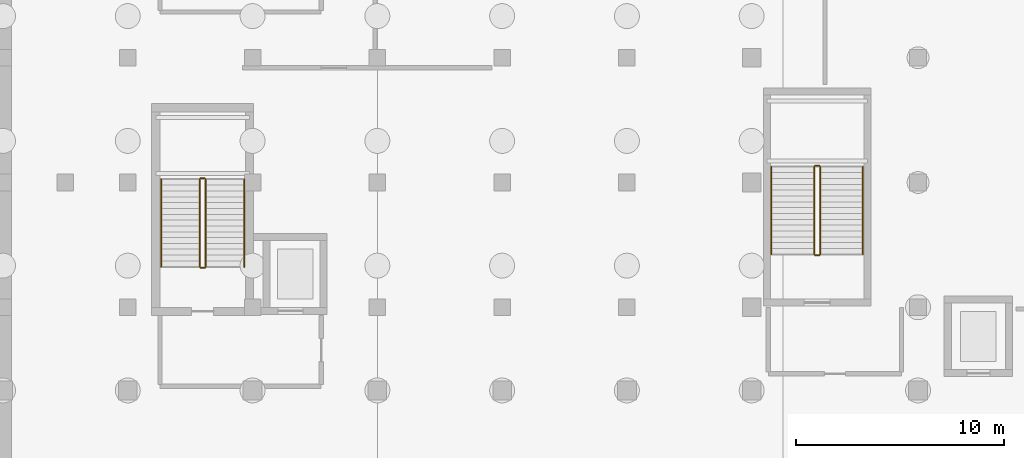
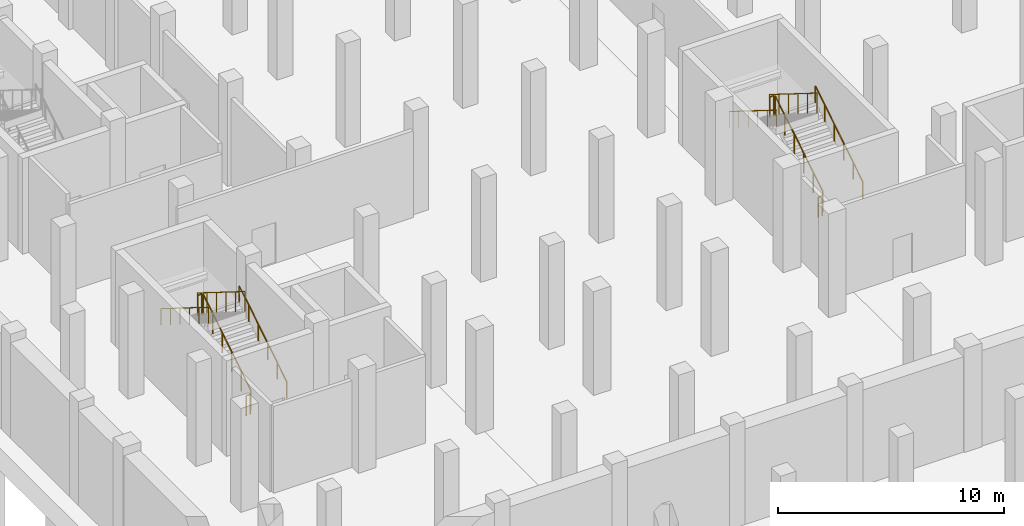
# One storey, part 20 of 26: 12 railings.
"""IFC4 building model written with IfcOpenShell, lengths in metres."""

import ifcopenshell
import ifcopenshell.guid

model = None  # the IFC model being written
_history = None  # IfcOwnerHistory: only IFC2X3 demands one
_inside = {}  # id of a spatial element -> (the spatial element, [elements in it])
_under = {}  # id of a project, library or spatial element -> (it, [spatial elements below it])
_declared = {}  # id of a project -> (the project, [libraries it declares])
_typed = {}  # id of a type object -> (the type object, [elements of that type])
_made_of = {}  # id of a material, layer set ... -> (it, [elements and type objects made of it])


def new_model(schema):
    """Start an empty IFC model of exactly this schema.

    Asked for "IFC4X3", IfcOpenShell would pick the latest addendum, in which some entities
    have other attributes; the version numbers below select the first issue.
    IFC2X3 requires an IfcOwnerHistory on every rooted entity: one is made here for all.
    """
    global model, _history
    if schema == "IFC4X3":
        model = ifcopenshell.file(schema_version=(4, 3, 0, 0))
    else:
        model = ifcopenshell.file(schema=schema)
    _inside.clear()
    _under.clear()
    _declared.clear()
    _typed.clear()
    _made_of.clear()
    _history = None
    if model.schema == "IFC2X3":
        org = make("IfcOrganization", Name="unknown")
        user = make(
            "IfcPersonAndOrganization",
            ThePerson=make("IfcPerson", FamilyName="unknown"),
            TheOrganization=org,
        )
        app = make(
            "IfcApplication",
            ApplicationDeveloper=org,
            Version="unknown",
            ApplicationFullName="unknown",
            ApplicationIdentifier="unknown",
        )
        _history = make(
            "IfcOwnerHistory",
            OwningUser=user,
            OwningApplication=app,
            ChangeAction="ADDED",
            CreationDate=0,
        )
    return model


def make(cls, **values):
    """One entity of the class cls with the attributes given. An attribute that is None is left unset."""
    return model.create_entity(
        cls, **{name: value for name, value in values.items() if value is not None}
    )


def rooted(cls, **values):
    """An entity with a GlobalId (a new one), such as an element, a storey or a relation."""
    return make(cls, GlobalId=ifcopenshell.guid.new(), OwnerHistory=_history, **values)


def si_unit(unit_type, name, prefix=None):
    """IfcSIUnit, for example si_unit("LENGTHUNIT", "METRE", prefix="MILLI")."""
    return make("IfcSIUnit", UnitType=unit_type, Prefix=prefix, Name=name)


def assignment(units):
    """IfcUnitAssignment: the units of a project."""
    return None if units is None else make("IfcUnitAssignment", Units=units)


def point(xyz):
    """IfcCartesianPoint."""
    return None if xyz is None else make("IfcCartesianPoint", Coordinates=xyz)


def direction(xyz):
    """IfcDirection."""
    return None if xyz is None else make("IfcDirection", DirectionRatios=xyz)


def frame(location, z_axis=None, x_axis=None):
    """IfcAxis2Placement3D, a coordinate frame: its origin and axes. An axis left out is left unset."""
    return make(
        "IfcAxis2Placement3D",
        Location=point(location),
        Axis=direction(z_axis),
        RefDirection=direction(x_axis),
    )


def frame_2d(location, x_axis=None):
    """IfcAxis2Placement2D, a coordinate frame in the plane: its origin and x axis."""
    return make(
        "IfcAxis2Placement2D", Location=point(location), RefDirection=direction(x_axis)
    )


def origin():
    """The frame at (0, 0, 0) with its axes left unset."""
    return frame((0.0, 0.0, 0.0))


def origin_2d():
    """The frame at (0, 0) in the plane with its x axis left unset."""
    return frame_2d((0.0, 0.0))


def place(relative_to, where):
    """IfcLocalPlacement: puts the frame where relative to a parent placement (None: the world)."""
    return make(
        "IfcLocalPlacement", PlacementRelTo=relative_to, RelativePlacement=where
    )


def context(
    kind, dimensions, precision=None, world=None, true_north=None, identifier=None
):
    """IfcGeometricRepresentationContext, for example the 3D "Model" context."""
    return make(
        "IfcGeometricRepresentationContext",
        ContextIdentifier=identifier,
        ContextType=kind,
        CoordinateSpaceDimension=dimensions,
        Precision=precision,
        WorldCoordinateSystem=world,
        TrueNorth=true_north,
    )


def subcontext(parent, identifier, kind, view, scale=None):
    """IfcGeometricRepresentationSubContext, for example "Body" below "Model"."""
    return make(
        "IfcGeometricRepresentationSubContext",
        ContextIdentifier=identifier,
        ContextType=kind,
        ParentContext=parent,
        TargetScale=scale,
        TargetView=view,
    )


def project(units=None, contexts=None):
    """IfcProject with its units and contexts."""
    return rooted(
        "IfcProject",
        Name="project",
        RepresentationContexts=contexts,
        UnitsInContext=assignment(units),
    )


def spatial(cls, under=None, at=None, **own):
    """A site, building, storey or space (cls), placed at a placement, below another one or the project."""
    s = rooted(cls, ObjectPlacement=at, **own)
    if under is not None:
        _under.setdefault(under.id(), (under, []))[1].append(s)
    return s


def profile(cls, at=None, kind="AREA", **sizes):
    """A parametric profile (cls). Its sizes go by their IFC names, for example OverallWidth=200.0."""
    return make(cls, ProfileType=kind, Position=at, **sizes)


def circle(**sizes):
    """IfcCircleProfileDef."""
    return profile("IfcCircleProfileDef", **sizes)


def extrude(swept, where, along, depth):
    """IfcExtrudedAreaSolid: the profile swept, set in the frame where, extruded along a direction by depth."""
    return make(
        "IfcExtrudedAreaSolid",
        SweptArea=swept,
        Position=where,
        ExtrudedDirection=direction(along),
        Depth=depth,
    )


def shape(context_of_items, identifier, shape_type, items):
    """IfcShapeRepresentation: the items that make up one representation, for example the "Body"."""
    return make(
        "IfcShapeRepresentation",
        ContextOfItems=context_of_items,
        RepresentationIdentifier=identifier,
        RepresentationType=shape_type,
        Items=items,
    )


def material(Name=None, Category=None):
    """IfcMaterial."""
    return make("IfcMaterial", Name=Name, Category=Category)


def made_of(thing, what):
    """Note that an element or type object is made of a material, layer set ...; save() writes the relation."""
    if what is not None:
        _made_of.setdefault(what.id(), (what, []))[1].append(thing)
    return thing


def type_object(cls, material=None, **own):
    """A type object (cls), such as IfcWallType, which elements share."""
    return made_of(rooted(cls, **own), material)


def element(
    cls,
    number,
    at=None,
    inside=None,
    cuts=None,
    type_object=None,
    material=None,
    context=None,
    identifier="Body",
    shape_type=None,
    held_by="IfcProductDefinitionShape",
    body=None,
    shapes=None,
    **own,
):
    """One element of the class cls, such as IfcWall. Its Tag is "e" and its number.

    at: its placement. inside: the storey or other place that contains it. cuts: it is an
    opening in that element (IfcRelVoidsElement). A single representation is given by context,
    identifier, shape_type and body (its items); several are given by shapes. held_by: the class
    of the entity that holds the representations. save() writes the other relations.
    """
    e = rooted(cls, Tag="e%d" % number, ObjectPlacement=at, **own)
    if body is not None:
        shapes = [shape(context, identifier, shape_type, body)]
    if shapes is not None:
        e.Representation = make(held_by, Representations=shapes)
    if inside is not None:
        _inside.setdefault(inside.id(), (inside, []))[1].append(e)
    if cuts is not None:
        rooted(
            "IfcRelVoidsElement", RelatingBuildingElement=cuts, RelatedOpeningElement=e
        )
    if type_object is not None:
        _typed.setdefault(type_object.id(), (type_object, []))[1].append(e)
    return made_of(e, material)


def aggregate(whole, parts):
    """IfcRelAggregates: a whole, such as a stair, and the parts it consists of."""
    return rooted("IfcRelAggregates", RelatingObject=whole, RelatedObjects=parts)


def save(model, path):
    """Write the relations noted so far, then the file.

    IfcRelAggregates (storeys below a building ...), IfcRelContainedInSpatialStructure (elements
    in a storey), IfcRelDefinesByType, IfcRelAssociatesMaterial and IfcRelDeclares: one each for
    every whole, place, type object, material and project.
    """
    for whole, parts in _under.values():
        aggregate(whole, parts)
    for where, things in _inside.values():
        rooted(
            "IfcRelContainedInSpatialStructure",
            RelatedElements=things,
            RelatingStructure=where,
        )
    for kind, things in _typed.values():
        rooted("IfcRelDefinesByType", RelatedObjects=things, RelatingType=kind)
    for what, things in _made_of.values():
        rooted("IfcRelAssociatesMaterial", RelatedObjects=things, RelatingMaterial=what)
    for by, libraries in _declared.values():
        rooted("IfcRelDeclares", RelatingContext=by, RelatedDefinitions=libraries)
    model.write(path)


model = new_model("IFC4")

# Units and contexts
model_context = context("Model", 3, precision=1e-05, world=origin(), true_north=direction((0.0, 1.0)))
body_context = subcontext(model_context, "Body", "Model", "MODEL_VIEW")
ifc_project = project(units=[si_unit("LENGTHUNIT", "METRE"), si_unit("AREAUNIT", "SQUARE_METRE"), si_unit("VOLUMEUNIT", "CUBIC_METRE"), si_unit("PLANEANGLEUNIT", "RADIAN"), si_unit("MASSUNIT", "GRAM", prefix="KILO")], contexts=[model_context])

# Site, building, storey
site_placement = place(None, origin())
site = spatial("IfcSite", under=ifc_project, at=site_placement, CompositionType="ELEMENT")
building_placement = place(site_placement, origin())
building = spatial("IfcBuilding", under=site, at=building_placement, Name="Verrall Gate Interchange", CompositionType="ELEMENT")
storey_placement = place(building_placement, frame((0.0, 0.0, -10.39990234375)))
storey = spatial("IfcBuildingStorey", under=building, at=storey_placement, Name="B2", CompositionType="ELEMENT", Elevation=-10.39990234375)

# Railings
ifc_material_1 = material(Name="Brushed Stainless-Steel Guardrail and Handrail System", Category="steel")
railing_type_1 = type_object("IfcRailingType", Name="GR-02 Interior Atrium and Stair Guardrail 1100", PredefinedType="GUARDRAIL", material=ifc_material_1)
railing_1_placement = place(storey_placement, frame((9.75, 17.949951171875, 0.1748046875)))
element("IfcRailing", 1, at=railing_1_placement, inside=storey, type_object=railing_type_1, Name="B2 ST-01 stair guard 1", PredefinedType="GUARDRAIL", context=body_context, shape_type="SweptSolid", body=[
    extrude(circle(Radius=0.02392578125, at=origin_2d()), frame((0.0, 0.0, 1.076171875), z_axis=(0.0, 0.847995534698, 0.530003370869), x_axis=(-1.0, 0.0, 0.0)), (0.0, 0.0, 1.0), 4.952880859375),
    extrude(circle(Radius=0.02099609375, at=origin_2d()), origin(), (0.0, 0.0, 1.0), 1.052001953125),
    extrude(circle(Radius=0.02099609375, at=origin_2d()), frame((0.0, 0.840087890625, 0.52490234375)), (0.0, 0.0, 1.0), 1.052001953125),
    extrude(circle(Radius=0.02099609375, at=origin_2d()), frame((0.0, 1.679931640625, 1.050048828125)), (0.0, 0.0, 1.0), 1.052001953125),
    extrude(circle(Radius=0.02099609375, at=origin_2d()), frame((0.0, 2.52001953125, 1.574951171875)), (0.0, 0.0, 1.0), 1.052001953125),
    extrude(circle(Radius=0.02099609375, at=origin_2d()), frame((0.0, 3.35986328125, 2.10009765625)), (0.0, 0.0, 1.0), 1.052001953125),
    extrude(circle(Radius=0.02099609375, at=origin_2d()), frame((0.0, 4.199951171875, 2.625)), (0.0, 0.0, 1.0), 1.052001953125),
])
railing_2_placement = place(storey_placement, frame((9.699951171875, 22.199951171875, 2.7998046875)))
element("IfcRailing", 2, at=railing_2_placement, inside=storey, type_object=railing_type_1, Name="B2 ST-01 stair guard 2", PredefinedType="GUARDRAIL", context=body_context, shape_type="SweptSolid", body=[
    extrude(circle(Radius=0.02392578125, at=origin_2d()), frame((0.0, 0.0, 1.076171875), z_axis=(-1.0, 0.0, 0.0), x_axis=(0.0, -1.0, 0.0)), (0.0, 0.0, 1.0), 0.199951171875),
    extrude(circle(Radius=0.02099609375, at=origin_2d()), origin(), (0.0, 0.0, 1.0), 1.052001953125),
    extrude(circle(Radius=0.02099609375, at=origin_2d()), frame((-0.199951171875, 0.0, 0.0)), (0.0, 0.0, 1.0), 1.052001953125),
])
railing_3_placement = place(storey_placement, frame((9.449951171875, 22.14990234375, 2.974853515625)))
element("IfcRailing", 3, at=railing_3_placement, inside=storey, type_object=railing_type_1, Name="B2 ST-01 stair guard 3", PredefinedType="GUARDRAIL", context=body_context, shape_type="SweptSolid", body=[
    extrude(circle(Radius=0.02392578125, at=origin_2d()), frame((0.0, 0.0, 1.076171875), z_axis=(0.0, -0.847995534698, 0.530003370869), x_axis=(1.0, 0.0, 0.0)), (0.0, 0.0, 1.0), 4.952880859375),
    extrude(circle(Radius=0.02099609375, at=origin_2d()), origin(), (0.0, 0.0, 1.0), 1.052001953125),
    extrude(circle(Radius=0.02099609375, at=origin_2d()), frame((0.0, -0.840087890625, 0.52490234375)), (0.0, 0.0, 1.0), 1.052001953125),
    extrude(circle(Radius=0.02099609375, at=origin_2d()), frame((0.0, -1.679931640625, 1.050048828125)), (0.0, 0.0, 1.0), 1.052001953125),
    extrude(circle(Radius=0.02099609375, at=origin_2d()), frame((0.0, -2.52001953125, 1.574951171875)), (0.0, 0.0, 1.0), 1.052001953125),
    extrude(circle(Radius=0.02099609375, at=origin_2d()), frame((0.0, -3.35986328125, 2.10009765625)), (0.0, 0.0, 1.0), 1.052001953125),
    extrude(circle(Radius=0.02099609375, at=origin_2d()), frame((0.0, -4.199951171875, 2.625)), (0.0, 0.0, 1.0), 1.052001953125),
])
railing_4_placement = place(storey_placement, frame((9.699951171875, 17.89990234375, 0.0)))
element("IfcRailing", 4, at=railing_4_placement, inside=storey, type_object=railing_type_1, Name="B2 ST-01 stair guard 4", PredefinedType="GUARDRAIL", context=body_context, shape_type="SweptSolid", body=[
    extrude(circle(Radius=0.02392578125, at=origin_2d()), frame((0.0, 0.0, 1.076171875), z_axis=(-1.0, 0.0, 0.0), x_axis=(0.0, -1.0, 0.0)), (0.0, 0.0, 1.0), 0.199951171875),
    extrude(circle(Radius=0.02099609375, at=origin_2d()), origin(), (0.0, 0.0, 1.0), 1.052001953125),
    extrude(circle(Radius=0.02099609375, at=origin_2d()), frame((-0.199951171875, 0.0, 0.0)), (0.0, 0.0, 1.0), 1.052001953125),
])
railing_5_placement = place(storey_placement, frame((39.300048828125, 18.550048828125, 0.1748046875)))
element("IfcRailing", 5, at=railing_5_placement, inside=storey, type_object=railing_type_1, Name="B2 ST-05 stair guard 1", PredefinedType="GUARDRAIL", context=body_context, shape_type="SweptSolid", body=[
    extrude(circle(Radius=0.02392578125, at=origin_2d()), frame((0.0, 0.0, 1.076171875), z_axis=(0.0, 0.847995534698, 0.530003370869), x_axis=(-1.0, 0.0, 0.0)), (0.0, 0.0, 1.0), 4.952880859375),
    extrude(circle(Radius=0.02099609375, at=origin_2d()), origin(), (0.0, 0.0, 1.0), 1.052001953125),
    extrude(circle(Radius=0.02099609375, at=origin_2d()), frame((0.0, 0.840087890625, 0.52490234375)), (0.0, 0.0, 1.0), 1.052001953125),
    extrude(circle(Radius=0.02099609375, at=origin_2d()), frame((0.0, 1.679931640625, 1.050048828125)), (0.0, 0.0, 1.0), 1.052001953125),
    extrude(circle(Radius=0.02099609375, at=origin_2d()), frame((0.0, 2.52001953125, 1.574951171875)), (0.0, 0.0, 1.0), 1.052001953125),
    extrude(circle(Radius=0.02099609375, at=origin_2d()), frame((0.0, 3.35986328125, 2.10009765625)), (0.0, 0.0, 1.0), 1.052001953125),
    extrude(circle(Radius=0.02099609375, at=origin_2d()), frame((0.0, 4.199951171875, 2.625)), (0.0, 0.0, 1.0), 1.052001953125),
])
railing_6_placement = place(storey_placement, frame((39.25, 22.800048828125, 2.7998046875)))
element("IfcRailing", 6, at=railing_6_placement, inside=storey, type_object=railing_type_1, Name="B2 ST-05 stair guard 2", PredefinedType="GUARDRAIL", context=body_context, shape_type="SweptSolid", body=[
    extrude(circle(Radius=0.02392578125, at=origin_2d()), frame((0.0, 0.0, 1.076171875), z_axis=(-1.0, 0.0, 0.0), x_axis=(0.0, -1.0, 0.0)), (0.0, 0.0, 1.0), 0.199951171875),
    extrude(circle(Radius=0.02099609375, at=origin_2d()), origin(), (0.0, 0.0, 1.0), 1.052001953125),
    extrude(circle(Radius=0.02099609375, at=origin_2d()), frame((-0.199951171875, 0.0, 0.0)), (0.0, 0.0, 1.0), 1.052001953125),
])
railing_7_placement = place(storey_placement, frame((39.0, 22.75, 2.974853515625)))
element("IfcRailing", 7, at=railing_7_placement, inside=storey, type_object=railing_type_1, Name="B2 ST-05 stair guard 3", PredefinedType="GUARDRAIL", context=body_context, shape_type="SweptSolid", body=[
    extrude(circle(Radius=0.02392578125, at=origin_2d()), frame((0.0, 0.0, 1.076171875), z_axis=(0.0, -0.847995534698, 0.530003370869), x_axis=(1.0, 0.0, 0.0)), (0.0, 0.0, 1.0), 4.952880859375),
    extrude(circle(Radius=0.02099609375, at=origin_2d()), origin(), (0.0, 0.0, 1.0), 1.052001953125),
    extrude(circle(Radius=0.02099609375, at=origin_2d()), frame((0.0, -0.840087890625, 0.52490234375)), (0.0, 0.0, 1.0), 1.052001953125),
    extrude(circle(Radius=0.02099609375, at=origin_2d()), frame((0.0, -1.679931640625, 1.050048828125)), (0.0, 0.0, 1.0), 1.052001953125),
    extrude(circle(Radius=0.02099609375, at=origin_2d()), frame((0.0, -2.52001953125, 1.574951171875)), (0.0, 0.0, 1.0), 1.052001953125),
    extrude(circle(Radius=0.02099609375, at=origin_2d()), frame((0.0, -3.35986328125, 2.10009765625)), (0.0, 0.0, 1.0), 1.052001953125),
    extrude(circle(Radius=0.02099609375, at=origin_2d()), frame((0.0, -4.199951171875, 2.625)), (0.0, 0.0, 1.0), 1.052001953125),
])
railing_8_placement = place(storey_placement, frame((39.25, 18.5, 0.0)))
element("IfcRailing", 8, at=railing_8_placement, inside=storey, type_object=railing_type_1, Name="B2 ST-05 stair guard 4", PredefinedType="GUARDRAIL", context=body_context, shape_type="SweptSolid", body=[
    extrude(circle(Radius=0.02392578125, at=origin_2d()), frame((0.0, 0.0, 1.076171875), z_axis=(-1.0, 0.0, 0.0), x_axis=(0.0, -1.0, 0.0)), (0.0, 0.0, 1.0), 0.199951171875),
    extrude(circle(Radius=0.02099609375, at=origin_2d()), origin(), (0.0, 0.0, 1.0), 1.052001953125),
    extrude(circle(Radius=0.02099609375, at=origin_2d()), frame((-0.199951171875, 0.0, 0.0)), (0.0, 0.0, 1.0), 1.052001953125),
])
ifc_material_2 = material(Name="Brushed Stainless-Steel Guardrail and Handrail System", Category="steel")
railing_type_2 = type_object("IfcRailingType", Name="HR-01 Stair and Ramp Pitch-Line Handrail 920", PredefinedType="HANDRAIL", material=ifc_material_2)
railing_9_placement = place(storey_placement, frame((11.60009765625, 17.949951171875, 0.1748046875)))
element("IfcRailing", 9, at=railing_9_placement, inside=storey, type_object=railing_type_2, Name="B2 ST-01 stair handrail 1", PredefinedType="HANDRAIL", context=body_context, shape_type="SweptSolid", body=[
    extrude(circle(Radius=0.02392578125, at=origin_2d()), frame((0.0, 0.0, 0.8759765625), z_axis=(0.0, 0.847995534698, 0.530003370869), x_axis=(-1.0, 0.0, 0.0)), (0.0, 0.0, 1.0), 4.952880859375),
    extrude(circle(Radius=0.02099609375, at=origin_2d()), origin(), (0.0, 0.0, 1.0), 0.851806640625),
    extrude(circle(Radius=0.02099609375, at=origin_2d()), frame((0.0, 0.840087890625, 0.52490234375)), (0.0, 0.0, 1.0), 0.851806640625),
    extrude(circle(Radius=0.02099609375, at=origin_2d()), frame((0.0, 1.679931640625, 1.050048828125)), (0.0, 0.0, 1.0), 0.851806640625),
    extrude(circle(Radius=0.02099609375, at=origin_2d()), frame((0.0, 2.52001953125, 1.574951171875)), (0.0, 0.0, 1.0), 0.851806640625),
    extrude(circle(Radius=0.02099609375, at=origin_2d()), frame((0.0, 3.35986328125, 2.10009765625)), (0.0, 0.0, 1.0), 0.851806640625),
    extrude(circle(Radius=0.02099609375, at=origin_2d()), frame((0.0, 4.199951171875, 2.625)), (0.0, 0.0, 1.0), 0.851806640625),
])
railing_10_placement = place(storey_placement, frame((7.60009765625, 22.14990234375, 2.974853515625)))
element("IfcRailing", 10, at=railing_10_placement, inside=storey, type_object=railing_type_2, Name="B2 ST-01 stair handrail 2", PredefinedType="HANDRAIL", context=body_context, shape_type="SweptSolid", body=[
    extrude(circle(Radius=0.02392578125, at=origin_2d()), frame((0.0, 0.0, 0.8759765625), z_axis=(0.0, -0.847995534698, 0.530003370869), x_axis=(1.0, 0.0, 0.0)), (0.0, 0.0, 1.0), 4.952880859375),
    extrude(circle(Radius=0.02099609375, at=origin_2d()), origin(), (0.0, 0.0, 1.0), 0.851806640625),
    extrude(circle(Radius=0.02099609375, at=origin_2d()), frame((0.0, -0.840087890625, 0.52490234375)), (0.0, 0.0, 1.0), 0.851806640625),
    extrude(circle(Radius=0.02099609375, at=origin_2d()), frame((0.0, -1.679931640625, 1.050048828125)), (0.0, 0.0, 1.0), 0.851806640625),
    extrude(circle(Radius=0.02099609375, at=origin_2d()), frame((0.0, -2.52001953125, 1.574951171875)), (0.0, 0.0, 1.0), 0.851806640625),
    extrude(circle(Radius=0.02099609375, at=origin_2d()), frame((0.0, -3.35986328125, 2.10009765625)), (0.0, 0.0, 1.0), 0.851806640625),
    extrude(circle(Radius=0.02099609375, at=origin_2d()), frame((0.0, -4.199951171875, 2.625)), (0.0, 0.0, 1.0), 0.851806640625),
])
railing_11_placement = place(storey_placement, frame((41.35009765625, 18.550048828125, 0.1748046875)))
element("IfcRailing", 11, at=railing_11_placement, inside=storey, type_object=railing_type_2, Name="B2 ST-05 stair handrail 1", PredefinedType="HANDRAIL", context=body_context, shape_type="SweptSolid", body=[
    extrude(circle(Radius=0.02392578125, at=origin_2d()), frame((0.0, 0.0, 0.8759765625), z_axis=(0.0, 0.847995534698, 0.530003370869), x_axis=(-1.0, 0.0, 0.0)), (0.0, 0.0, 1.0), 4.952880859375),
    extrude(circle(Radius=0.02099609375, at=origin_2d()), origin(), (0.0, 0.0, 1.0), 0.851806640625),
    extrude(circle(Radius=0.02099609375, at=origin_2d()), frame((0.0, 0.840087890625, 0.52490234375)), (0.0, 0.0, 1.0), 0.851806640625),
    extrude(circle(Radius=0.02099609375, at=origin_2d()), frame((0.0, 1.679931640625, 1.050048828125)), (0.0, 0.0, 1.0), 0.851806640625),
    extrude(circle(Radius=0.02099609375, at=origin_2d()), frame((0.0, 2.52001953125, 1.574951171875)), (0.0, 0.0, 1.0), 0.851806640625),
    extrude(circle(Radius=0.02099609375, at=origin_2d()), frame((0.0, 3.35986328125, 2.10009765625)), (0.0, 0.0, 1.0), 0.851806640625),
    extrude(circle(Radius=0.02099609375, at=origin_2d()), frame((0.0, 4.199951171875, 2.625)), (0.0, 0.0, 1.0), 0.851806640625),
])
railing_12_placement = place(storey_placement, frame((36.949951171875, 22.75, 2.974853515625)))
element("IfcRailing", 12, at=railing_12_placement, inside=storey, type_object=railing_type_2, Name="B2 ST-05 stair handrail 2", PredefinedType="HANDRAIL", context=body_context, shape_type="SweptSolid", body=[
    extrude(circle(Radius=0.02392578125, at=origin_2d()), frame((0.0, 0.0, 0.8759765625), z_axis=(0.0, -0.847995534698, 0.530003370869), x_axis=(1.0, 0.0, 0.0)), (0.0, 0.0, 1.0), 4.952880859375),
    extrude(circle(Radius=0.02099609375, at=origin_2d()), origin(), (0.0, 0.0, 1.0), 0.851806640625),
    extrude(circle(Radius=0.02099609375, at=origin_2d()), frame((0.0, -0.840087890625, 0.52490234375)), (0.0, 0.0, 1.0), 0.851806640625),
    extrude(circle(Radius=0.02099609375, at=origin_2d()), frame((0.0, -1.679931640625, 1.050048828125)), (0.0, 0.0, 1.0), 0.851806640625),
    extrude(circle(Radius=0.02099609375, at=origin_2d()), frame((0.0, -2.52001953125, 1.574951171875)), (0.0, 0.0, 1.0), 0.851806640625),
    extrude(circle(Radius=0.02099609375, at=origin_2d()), frame((0.0, -3.35986328125, 2.10009765625)), (0.0, 0.0, 1.0), 0.851806640625),
    extrude(circle(Radius=0.02099609375, at=origin_2d()), frame((0.0, -4.199951171875, 2.625)), (0.0, 0.0, 1.0), 0.851806640625),
])

save(model, "model.ifc")
